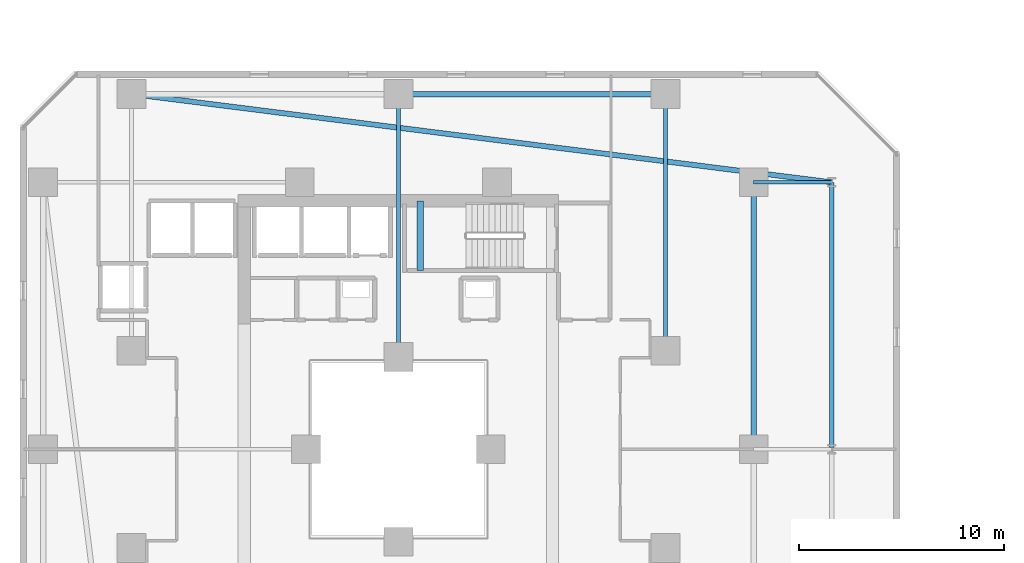
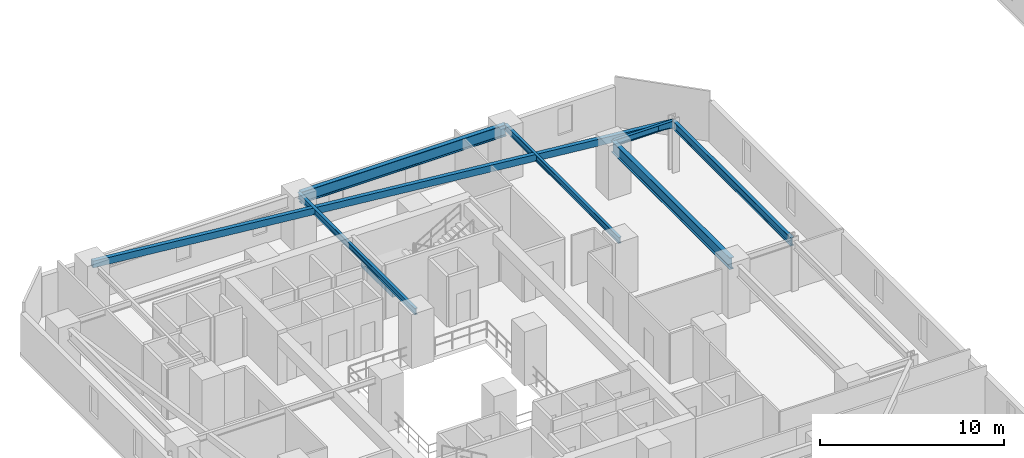
# One storey, part 9 of 34: 8 beams.
"""IFC4 building model written with IfcOpenShell, lengths in metres."""

from ifc_helpers import new_model, si_unit, direction, frame, origin, origin_2d, place, context, subcontext, project, spatial, rectangle, hollow_rectangle, i_section, extrude, material, material_profile, profile_set, type_object, element, save


model = new_model("IFC4")

# Units and contexts
model_context = context("Model", 3, precision=1e-05, world=origin(), true_north=direction((0.0, 1.0)))
body_context = subcontext(model_context, "Body", "Model", "MODEL_VIEW")
ifc_project = project(units=[si_unit("LENGTHUNIT", "METRE"), si_unit("AREAUNIT", "SQUARE_METRE"), si_unit("VOLUMEUNIT", "CUBIC_METRE"), si_unit("PLANEANGLEUNIT", "RADIAN"), si_unit("MASSUNIT", "GRAM", prefix="KILO")], contexts=[model_context])

# Site, building, storey
site_placement = place(None, origin())
site = spatial("IfcSite", under=ifc_project, at=site_placement, CompositionType="ELEMENT")
building_placement = place(site_placement, origin())
building = spatial("IfcBuilding", under=site, at=building_placement, Name="Thornwick Lancets Civic Towers", CompositionType="ELEMENT")
storey_placement = place(building_placement, frame((0.0, 0.0, 53.699951171875)))
storey = spatial("IfcBuildingStorey", under=building, at=storey_placement, Name="L13", CompositionType="ELEMENT", Elevation=53.699951171875)

# Beams
ifc_material_1 = material(Name="Steel S355JR", Category="steel")
ifc_material_profile_1 = material_profile(ifc_material_1, i_section(OverallWidth=0.2119140625, OverallDepth=0.54443359375, WebThickness=0.0126953125, FlangeThickness=0.021240234375, FilletRadius=0.0126953125, at=origin_2d()), Name="UKB 533x210x122")
ifc_profile_set_1 = profile_set([ifc_material_profile_1], Name="Steel S355JR")
beam_type_1 = type_object("IfcBeamType", Name="BM_EDGE_533_122", PredefinedType="SPANDREL", material=ifc_profile_set_1)
beam_1_placement = place(storey_placement, frame((46.60009765625, 27.080078125, 3.087890625), z_axis=(0.0, 1.0, 0.0), x_axis=(-1.0, 0.0, 0.0)))
element("IfcBeam", 1, at=beam_1_placement, inside=storey, type_object=beam_type_1, Name="BM-EDGE-L13-A-S1-2", PredefinedType="SPANDREL", context=body_context, shape_type="SweptSolid", body=[
    extrude(i_section(OverallWidth=0.2119140625, OverallDepth=0.54443359375, WebThickness=0.0126953125, FlangeThickness=0.021240234375, FilletRadius=0.0126953125, at=origin_2d()), origin(), (0.0, 0.0, 1.0), 12.919921875),
])
ifc_material_profile_2 = material_profile(ifc_material_1, i_section(OverallWidth=0.26806640625, OverallDepth=0.769775390625, WebThickness=0.015625, FlangeThickness=0.025390625, FilletRadius=0.0166015625, at=origin_2d()), Name="UKB 762x267x197")
ifc_profile_set_2 = profile_set([ifc_material_profile_2], Name="Steel S355JR")
beam_type_2 = type_object("IfcBeamType", Name="BM_GIRD_762_197", PredefinedType="BEAM", material=ifc_profile_set_2)
for number, where, z_axis, x_axis, name in (
    (2, (42.800048828125, 27.080078125, 2.97509765625), (0.0, 1.0, 0.0), (-1.0, 0.0, 0.0), "BM-SPINE-L13-A-4-5"),
    (3, (25.580078125, 44.300048828125, 2.97509765625), (1.0, 0.0, 0.0), (0.0, 1.0, 0.0), "BM-SPINE-L13-A-7-8"),
):
    element("IfcBeam", number, at=place(storey_placement, frame(where, z_axis=z_axis, x_axis=x_axis)), inside=storey, type_object=beam_type_2, Name=name, PredefinedType="BEAM", context=body_context, shape_type="SweptSolid", body=[
        extrude(i_section(OverallWidth=0.26806640625, OverallDepth=0.769775390625, WebThickness=0.015625, FlangeThickness=0.025390625, FilletRadius=0.0166015625, at=origin_2d()), origin(), (0.0, 0.0, 1.0), 12.919921875),
    ])
ifc_material_profile_3 = material_profile(ifc_material_1, i_section(OverallWidth=0.179443359375, OverallDepth=0.412841796875, WebThickness=0.009521484375, FlangeThickness=0.01611328125, FilletRadius=0.01025390625, at=origin_2d()), Name="UKB 406x178x74")
ifc_profile_set_3 = profile_set([ifc_material_profile_3], Name="Steel S355JR")
beam_type_3 = type_object("IfcBeamType", Name="BM_JOIST_406_74", PredefinedType="JOIST", material=ifc_profile_set_3)
beam_2_placement = place(storey_placement, frame((42.800048828125, 40.0, 3.153564453125), z_axis=(1.0, 0.0, 0.0), x_axis=(0.0, 1.0, 0.0)))
element("IfcBeam", 4, at=beam_2_placement, inside=storey, type_object=beam_type_3, Name="BM-RAD-L13-A06", PredefinedType="JOIST", context=body_context, shape_type="SweptSolid", body=[
    extrude(i_section(OverallWidth=0.179443359375, OverallDepth=0.412841796875, WebThickness=0.009521484375, FlangeThickness=0.01611328125, FilletRadius=0.01025390625, at=origin_2d()), origin(), (0.0, 0.0, 1.0), 3.800048828125),
])
beam_3_placement = place(storey_placement, frame((25.5, 31.5, 3.153564453125), z_axis=(0.0, 1.0, 0.0), x_axis=(-1.0, 0.0, 0.0)))
element("IfcBeam", 5, at=beam_3_placement, inside=storey, type_object=beam_type_3, Name="BM-RADIN-L13-A08", PredefinedType="JOIST", context=body_context, shape_type="SweptSolid", body=[
    extrude(i_section(OverallWidth=0.179443359375, OverallDepth=0.412841796875, WebThickness=0.009521484375, FlangeThickness=0.01611328125, FilletRadius=0.01025390625, at=origin_2d()), origin(), (0.0, 0.0, 1.0), 12.800048828125),
])
beam_4_placement = place(storey_placement, frame((38.5, 31.800048828125, 3.153564453125), z_axis=(0.0, 1.0, 0.0), x_axis=(-1.0, 0.0, 0.0)))
element("IfcBeam", 6, at=beam_4_placement, inside=storey, type_object=beam_type_3, Name="BM-RADIN-L13-A09", PredefinedType="JOIST", context=body_context, shape_type="SweptSolid", body=[
    extrude(i_section(OverallWidth=0.179443359375, OverallDepth=0.412841796875, WebThickness=0.009521484375, FlangeThickness=0.01611328125, FilletRadius=0.01025390625, at=origin_2d()), origin(), (0.0, 0.0, 1.0), 12.5),
])
ifc_material_profile_4 = material_profile(ifc_material_1, hollow_rectangle(XDim=0.25, YDim=0.449951171875, WallThickness=0.01611328125, at=origin_2d()), Name="RHS 450x250x16")
ifc_profile_set_4 = profile_set([ifc_material_profile_4], Name="Steel S355JR")
beam_type_4 = type_object("IfcBeamType", Name="BM_RING_RHS450", PredefinedType="BEAM", material=ifc_profile_set_4)
beam_5_placement = place(storey_placement, frame((46.60009765625, 40.0, 3.135009765625), z_axis=(-0.992142878225, 0.12510998836, 0.0), x_axis=(-0.12510998836, -0.992142878225, 0.0)))
element("IfcBeam", 7, at=beam_5_placement, inside=storey, type_object=beam_type_4, Name="BM-CHAMF-L13-A-C1", PredefinedType="BEAM", context=body_context, shape_type="SweptSolid", body=[
    extrude(hollow_rectangle(XDim=0.25, YDim=0.449951171875, WallThickness=0.01611328125, at=origin_2d()), origin(), (0.0, 0.0, 1.0), 34.3701171875),
])
ifc_material_2 = material(Name="Concrete C40/50", Category="concrete")
ifc_material_profile_5 = material_profile(ifc_material_2, rectangle(XDim=0.300048828125, YDim=0.35009765625, at=origin_2d()), Name="RC 300x350")
ifc_profile_set_5 = profile_set([ifc_material_profile_5], Name="Concrete C40/50")
beam_type_5 = type_object("IfcBeamType", Name="BM_STAIR_LDG", PredefinedType="BEAM", material=ifc_profile_set_5)
beam_6_placement = place(storey_placement, frame((26.56494140625, 39.10009765625, 1.3779296875), z_axis=(0.0, -1.0, 0.0), x_axis=(1.0, 0.0, 0.0)))
element("IfcBeam", 8, at=beam_6_placement, inside=storey, type_object=beam_type_5, Name="L13 ST-A2 Landing Support Beam 1", PredefinedType="BEAM", context=body_context, shape_type="SweptSolid", body=[
    extrude(rectangle(XDim=0.300048828125, YDim=0.35009765625, at=origin_2d()), origin(), (0.0, 0.0, 1.0), 3.400146484375),
])

save(model, "model.ifc")
